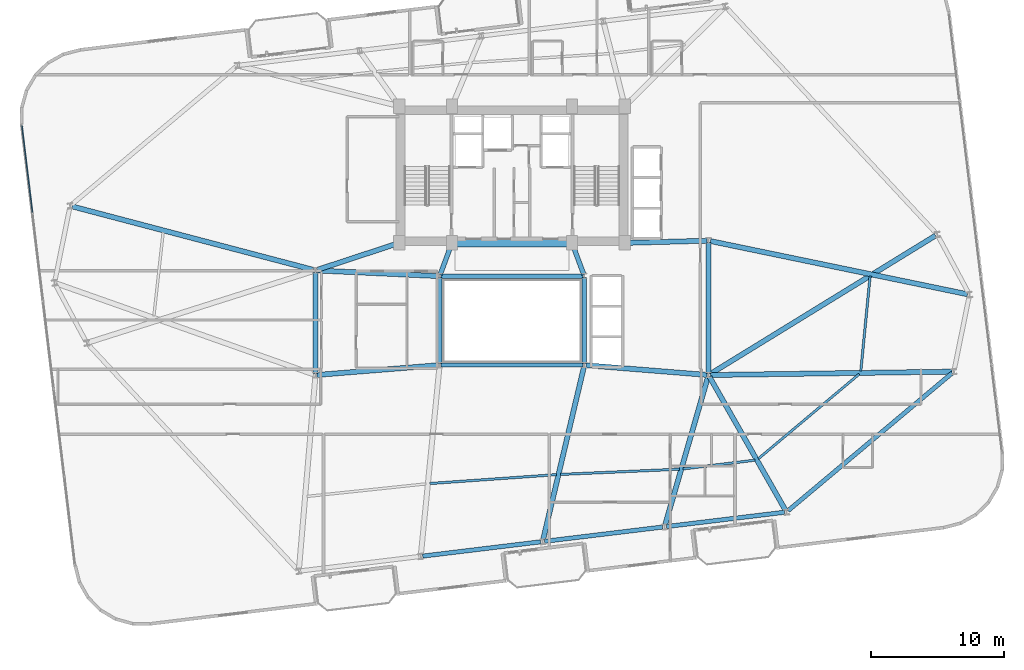
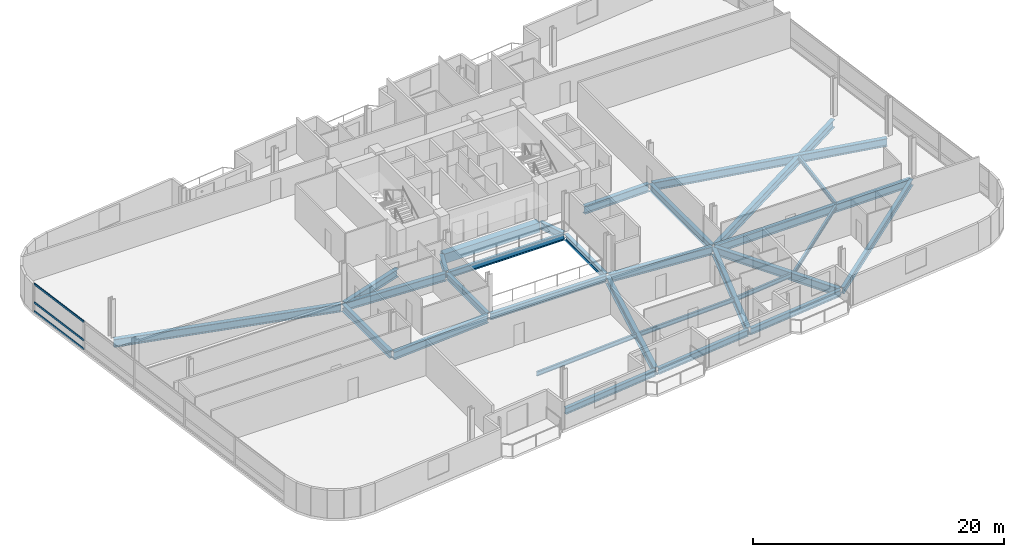
# One storey, part 7 of 22: 30 beams, 3 members, 1 element without a shape of its own.
"""IFC4 building model written with IfcOpenShell, lengths in metres."""

import ifcopenshell
import ifcopenshell.guid

model = None  # the IFC model being written
_history = None  # IfcOwnerHistory: only IFC2X3 demands one
_inside = {}  # id of a spatial element -> (the spatial element, [elements in it])
_under = {}  # id of a project, library or spatial element -> (it, [spatial elements below it])
_declared = {}  # id of a project -> (the project, [libraries it declares])
_typed = {}  # id of a type object -> (the type object, [elements of that type])
_made_of = {}  # id of a material, layer set ... -> (it, [elements and type objects made of it])


def new_model(schema):
    """Start an empty IFC model of exactly this schema.

    Asked for "IFC4X3", IfcOpenShell would pick the latest addendum, in which some entities
    have other attributes; the version numbers below select the first issue.
    IFC2X3 requires an IfcOwnerHistory on every rooted entity: one is made here for all.
    """
    global model, _history
    if schema == "IFC4X3":
        model = ifcopenshell.file(schema_version=(4, 3, 0, 0))
    else:
        model = ifcopenshell.file(schema=schema)
    _inside.clear()
    _under.clear()
    _declared.clear()
    _typed.clear()
    _made_of.clear()
    _history = None
    if model.schema == "IFC2X3":
        org = make("IfcOrganization", Name="unknown")
        user = make(
            "IfcPersonAndOrganization",
            ThePerson=make("IfcPerson", FamilyName="unknown"),
            TheOrganization=org,
        )
        app = make(
            "IfcApplication",
            ApplicationDeveloper=org,
            Version="unknown",
            ApplicationFullName="unknown",
            ApplicationIdentifier="unknown",
        )
        _history = make(
            "IfcOwnerHistory",
            OwningUser=user,
            OwningApplication=app,
            ChangeAction="ADDED",
            CreationDate=0,
        )
    return model


def make(cls, **values):
    """One entity of the class cls with the attributes given. An attribute that is None is left unset."""
    return model.create_entity(
        cls, **{name: value for name, value in values.items() if value is not None}
    )


def rooted(cls, **values):
    """An entity with a GlobalId (a new one), such as an element, a storey or a relation."""
    return make(cls, GlobalId=ifcopenshell.guid.new(), OwnerHistory=_history, **values)


def si_unit(unit_type, name, prefix=None):
    """IfcSIUnit, for example si_unit("LENGTHUNIT", "METRE", prefix="MILLI")."""
    return make("IfcSIUnit", UnitType=unit_type, Prefix=prefix, Name=name)


def assignment(units):
    """IfcUnitAssignment: the units of a project."""
    return None if units is None else make("IfcUnitAssignment", Units=units)


def point(xyz):
    """IfcCartesianPoint."""
    return None if xyz is None else make("IfcCartesianPoint", Coordinates=xyz)


def direction(xyz):
    """IfcDirection."""
    return None if xyz is None else make("IfcDirection", DirectionRatios=xyz)


def frame(location, z_axis=None, x_axis=None):
    """IfcAxis2Placement3D, a coordinate frame: its origin and axes. An axis left out is left unset."""
    return make(
        "IfcAxis2Placement3D",
        Location=point(location),
        Axis=direction(z_axis),
        RefDirection=direction(x_axis),
    )


def frame_2d(location, x_axis=None):
    """IfcAxis2Placement2D, a coordinate frame in the plane: its origin and x axis."""
    return make(
        "IfcAxis2Placement2D", Location=point(location), RefDirection=direction(x_axis)
    )


def origin():
    """The frame at (0, 0, 0) with its axes left unset."""
    return frame((0.0, 0.0, 0.0))


def origin_2d():
    """The frame at (0, 0) in the plane with its x axis left unset."""
    return frame_2d((0.0, 0.0))


def place(relative_to, where):
    """IfcLocalPlacement: puts the frame where relative to a parent placement (None: the world)."""
    return make(
        "IfcLocalPlacement", PlacementRelTo=relative_to, RelativePlacement=where
    )


def context(
    kind, dimensions, precision=None, world=None, true_north=None, identifier=None
):
    """IfcGeometricRepresentationContext, for example the 3D "Model" context."""
    return make(
        "IfcGeometricRepresentationContext",
        ContextIdentifier=identifier,
        ContextType=kind,
        CoordinateSpaceDimension=dimensions,
        Precision=precision,
        WorldCoordinateSystem=world,
        TrueNorth=true_north,
    )


def subcontext(parent, identifier, kind, view, scale=None):
    """IfcGeometricRepresentationSubContext, for example "Body" below "Model"."""
    return make(
        "IfcGeometricRepresentationSubContext",
        ContextIdentifier=identifier,
        ContextType=kind,
        ParentContext=parent,
        TargetScale=scale,
        TargetView=view,
    )


def project(units=None, contexts=None):
    """IfcProject with its units and contexts."""
    return rooted(
        "IfcProject",
        Name="project",
        RepresentationContexts=contexts,
        UnitsInContext=assignment(units),
    )


def spatial(cls, under=None, at=None, **own):
    """A site, building, storey or space (cls), placed at a placement, below another one or the project."""
    s = rooted(cls, ObjectPlacement=at, **own)
    if under is not None:
        _under.setdefault(under.id(), (under, []))[1].append(s)
    return s


def profile(cls, at=None, kind="AREA", **sizes):
    """A parametric profile (cls). Its sizes go by their IFC names, for example OverallWidth=200.0."""
    return make(cls, ProfileType=kind, Position=at, **sizes)


def rectangle(**sizes):
    """IfcRectangleProfileDef."""
    return profile("IfcRectangleProfileDef", **sizes)


def hollow_rectangle(**sizes):
    """IfcRectangleHollowProfileDef."""
    return profile("IfcRectangleHollowProfileDef", **sizes)


def i_section(**sizes):
    """IfcIShapeProfileDef."""
    return profile("IfcIShapeProfileDef", **sizes)


def extrude(swept, where, along, depth):
    """IfcExtrudedAreaSolid: the profile swept, set in the frame where, extruded along a direction by depth."""
    return make(
        "IfcExtrudedAreaSolid",
        SweptArea=swept,
        Position=where,
        ExtrudedDirection=direction(along),
        Depth=depth,
    )


def shape(context_of_items, identifier, shape_type, items):
    """IfcShapeRepresentation: the items that make up one representation, for example the "Body"."""
    return make(
        "IfcShapeRepresentation",
        ContextOfItems=context_of_items,
        RepresentationIdentifier=identifier,
        RepresentationType=shape_type,
        Items=items,
    )


def material(Name=None, Category=None):
    """IfcMaterial."""
    return make("IfcMaterial", Name=Name, Category=Category)


def layer(
    of_material, thickness, ventilated=None, Name=None, Category=None, Priority=None
):
    """IfcMaterialLayer: one layer of a wall or slab, of a material (None: an air gap)."""
    return make(
        "IfcMaterialLayer",
        Material=of_material,
        LayerThickness=thickness,
        IsVentilated=ventilated,
        Name=Name,
        Category=Category,
        Priority=Priority,
    )


def layer_set(layers, Name=None):
    """IfcMaterialLayerSet."""
    return make("IfcMaterialLayerSet", MaterialLayers=layers, LayerSetName=Name)


def material_profile(
    of_material, cross_section, Name=None, Category=None, Priority=None
):
    """IfcMaterialProfile: a cross section and its material."""
    return make(
        "IfcMaterialProfile",
        Name=Name,
        Material=of_material,
        Profile=cross_section,
        Priority=Priority,
        Category=Category,
    )


def profile_set(profiles, Name=None, composite=None):
    """IfcMaterialProfileSet."""
    return make(
        "IfcMaterialProfileSet",
        Name=Name,
        MaterialProfiles=profiles,
        CompositeProfile=composite,
    )


def made_of(thing, what):
    """Note that an element or type object is made of a material, layer set ...; save() writes the relation."""
    if what is not None:
        _made_of.setdefault(what.id(), (what, []))[1].append(thing)
    return thing


def type_object(cls, material=None, **own):
    """A type object (cls), such as IfcWallType, which elements share."""
    return made_of(rooted(cls, **own), material)


def element(
    cls,
    number,
    at=None,
    inside=None,
    cuts=None,
    type_object=None,
    material=None,
    context=None,
    identifier="Body",
    shape_type=None,
    held_by="IfcProductDefinitionShape",
    body=None,
    shapes=None,
    **own,
):
    """One element of the class cls, such as IfcWall. Its Tag is "e" and its number.

    at: its placement. inside: the storey or other place that contains it. cuts: it is an
    opening in that element (IfcRelVoidsElement). A single representation is given by context,
    identifier, shape_type and body (its items); several are given by shapes. held_by: the class
    of the entity that holds the representations. save() writes the other relations.
    """
    e = rooted(cls, Tag="e%d" % number, ObjectPlacement=at, **own)
    if body is not None:
        shapes = [shape(context, identifier, shape_type, body)]
    if shapes is not None:
        e.Representation = make(held_by, Representations=shapes)
    if inside is not None:
        _inside.setdefault(inside.id(), (inside, []))[1].append(e)
    if cuts is not None:
        rooted(
            "IfcRelVoidsElement", RelatingBuildingElement=cuts, RelatedOpeningElement=e
        )
    if type_object is not None:
        _typed.setdefault(type_object.id(), (type_object, []))[1].append(e)
    return made_of(e, material)


def aggregate(whole, parts):
    """IfcRelAggregates: a whole, such as a stair, and the parts it consists of."""
    return rooted("IfcRelAggregates", RelatingObject=whole, RelatedObjects=parts)


def save(model, path):
    """Write the relations noted so far, then the file.

    IfcRelAggregates (storeys below a building ...), IfcRelContainedInSpatialStructure (elements
    in a storey), IfcRelDefinesByType, IfcRelAssociatesMaterial and IfcRelDeclares: one each for
    every whole, place, type object, material and project.
    """
    for whole, parts in _under.values():
        aggregate(whole, parts)
    for where, things in _inside.values():
        rooted(
            "IfcRelContainedInSpatialStructure",
            RelatedElements=things,
            RelatingStructure=where,
        )
    for kind, things in _typed.values():
        rooted("IfcRelDefinesByType", RelatedObjects=things, RelatingType=kind)
    for what, things in _made_of.values():
        rooted("IfcRelAssociatesMaterial", RelatedObjects=things, RelatingMaterial=what)
    for by, libraries in _declared.values():
        rooted("IfcRelDeclares", RelatingContext=by, RelatedDefinitions=libraries)
    model.write(path)


model = new_model("IFC4")

# Units and contexts
model_context = context("Model", 3, precision=1e-05, world=origin(), true_north=direction((0.0, 1.0)))
body_context = subcontext(model_context, "Body", "Model", "MODEL_VIEW")
ifc_project = project(units=[si_unit("LENGTHUNIT", "METRE"), si_unit("AREAUNIT", "SQUARE_METRE"), si_unit("VOLUMEUNIT", "CUBIC_METRE"), si_unit("PLANEANGLEUNIT", "RADIAN"), si_unit("MASSUNIT", "GRAM", prefix="KILO")], contexts=[model_context])

# Site, building, storey
site_placement = place(None, origin())
site = spatial("IfcSite", under=ifc_project, at=site_placement, CompositionType="ELEMENT")
building_placement = place(site_placement, origin())
building = spatial("IfcBuilding", under=site, at=building_placement, Name="Varnelok Gate Tower", CompositionType="ELEMENT")
storey_placement = place(building_placement, frame((0.0, 0.0, 185.699951171875)))
storey = spatial("IfcBuildingStorey", under=building, at=storey_placement, Name="L47", CompositionType="ELEMENT", Elevation=185.699951171875)

# Beams
ifc_material_1 = material(Name="Structural Steel ASTM A992 Grade 50", Category="steel")
ifc_material_profile_1 = material_profile(ifc_material_1, i_section(OverallWidth=0.180908203125, OverallDepth=0.4169921875, WebThickness=0.010986328125, FlangeThickness=0.018310546875, FilletRadius=0.013916015625, at=origin_2d()), Name="W16X57")
ifc_profile_set_1 = profile_set([ifc_material_profile_1], Name="Structural Steel ASTM A992 Grade 50")
beam_type_1 = type_object("IfcBeamType", Name="BM-JST-W16X57", PredefinedType="JOIST", material=ifc_profile_set_1)
beam_1_placement = place(storey_placement, frame((33.00634765625, 10.62939453125, -0.45849609375), z_axis=(0.997546417642, 0.070008175598, 0.0), x_axis=(-0.070008175598, 0.997546417642, 0.0)))
element("IfcBeam", 1, at=beam_1_placement, inside=storey, type_object=beam_type_1, Name="L47 Sector Floor Joist 2", PredefinedType="JOIST", context=body_context, shape_type="SweptSolid", body=[
    extrude(i_section(OverallWidth=0.180908203125, OverallDepth=0.4169921875, WebThickness=0.010986328125, FlangeThickness=0.018310546875, FilletRadius=0.013916015625, at=origin_2d()), origin(), (0.0, 0.0, 1.0), 9.57958984375),
])
beam_2_placement = place(storey_placement, frame((42.841796875, 11.31591796875, -0.45849609375), z_axis=(0.99904059528, 0.043793709388, 0.0), x_axis=(-0.043793709388, 0.99904059528, 0.0)))
element("IfcBeam", 2, at=beam_2_placement, inside=storey, type_object=beam_type_1, Name="L47 Sector Floor Joist 3", PredefinedType="JOIST", context=body_context, shape_type="SweptSolid", body=[
    extrude(i_section(OverallWidth=0.180908203125, OverallDepth=0.4169921875, WebThickness=0.010986328125, FlangeThickness=0.018310546875, FilletRadius=0.013916015625, at=origin_2d()), origin(), (0.0, 0.0, 1.0), 8.975341796875),
])
beam_3_placement = place(storey_placement, frame((52.08740234375, 11.73193359375, -0.45849609375), z_axis=(0.992737021941, 0.120304635272, 0.0), x_axis=(-0.120304635272, 0.992737021941, 0.0)))
element("IfcBeam", 3, at=beam_3_placement, inside=storey, type_object=beam_type_1, Name="L47 Sector Floor Joist 4", PredefinedType="JOIST", context=body_context, shape_type="SweptSolid", body=[
    extrude(i_section(OverallWidth=0.180908203125, OverallDepth=0.4169921875, WebThickness=0.010986328125, FlangeThickness=0.018310546875, FilletRadius=0.013916015625, at=origin_2d()), origin(), (0.0, 0.0, 1.0), 5.454833984375),
])
beam_4_placement = place(storey_placement, frame((57.7490234375, 12.4951171875, -0.45849609375), z_axis=(0.76608872643, 0.642734831199, 0.0), x_axis=(-0.642734831199, 0.76608872643, 0.0)))
element("IfcBeam", 4, at=beam_4_placement, inside=storey, type_object=beam_type_1, Name="L47 Sector Floor Joist 5", PredefinedType="JOIST", context=body_context, shape_type="SweptSolid", body=[
    extrude(i_section(OverallWidth=0.180908203125, OverallDepth=0.4169921875, WebThickness=0.010986328125, FlangeThickness=0.018310546875, FilletRadius=0.013916015625, at=origin_2d()), origin(), (0.0, 0.0, 1.0), 9.919677734375),
])
beam_5_placement = place(storey_placement, frame((65.469482421875, 19.10009765625, -0.45849609375), z_axis=(0.097641950853, 0.995221608203, 0.0), x_axis=(-0.995221608203, 0.097641950853, 0.0)))
element("IfcBeam", 5, at=beam_5_placement, inside=storey, type_object=beam_type_1, Name="L47 Sector Floor Joist 6", PredefinedType="JOIST", context=body_context, shape_type="SweptSolid", body=[
    extrude(i_section(OverallWidth=0.180908203125, OverallDepth=0.4169921875, WebThickness=0.010986328125, FlangeThickness=0.018310546875, FilletRadius=0.013916015625, at=origin_2d()), origin(), (0.0, 0.0, 1.0), 7.193603515625),
])
ifc_material_2 = material(Name="Concrete C60/75", Category="concrete")
ifc_material_profile_2 = material_profile(ifc_material_2, rectangle(XDim=0.60009765625, YDim=0.949951171875, at=origin_2d()), Name="RC950X600")
ifc_profile_set_2 = profile_set([ifc_material_profile_2], Name="Concrete C60/75")
beam_type_2 = type_object("IfcBeamType", Name="BM-LNT-RC950", PredefinedType="LINTEL", material=ifc_profile_set_2)
beam_6_placement = place(storey_placement, frame((34.800048828125, 28.75, -0.724853515625), z_axis=(1.0, 0.0, 0.0), x_axis=(0.0, 1.0, 0.0)))
element("IfcBeam", 6, at=beam_6_placement, inside=storey, type_object=beam_type_2, Name="L47 Core-Atrium Spine Beam 7", PredefinedType="LINTEL", context=body_context, shape_type="SweptSolid", body=[
    extrude(rectangle(XDim=0.60009765625, YDim=0.949951171875, at=origin_2d()), origin(), (0.0, 0.0, 1.0), 8.800048828125),
])
ifc_material_profile_3 = material_profile(ifc_material_1, i_section(OverallWidth=0.35498046875, OverallDepth=0.696044921875, WebThickness=0.015380859375, FlangeThickness=0.02490234375, FilletRadius=0.02001953125, at=origin_2d()), Name="W27X146")
ifc_profile_set_3 = profile_set([ifc_material_profile_3], Name="Structural Steel ASTM A992 Grade 50")
beam_type_3 = type_object("IfcBeamType", Name="BM-PRI-W27X146", PredefinedType="BEAM", material=ifc_profile_set_3)
for number, where, z_axis, x_axis, name in (
    (7, (33.791748046875, 26.362548828125, -0.597900390625), (0.348719329408, 0.937227202602, 0.0), (-0.937227202602, 0.348719329408, 0.0), "L47 Core-Atrium Spine Beam 12"),
    (8, (44.608154296875, 26.362548828125, -0.597900390625), (-0.348719329408, 0.937227202602, 0.0), (-0.937227202602, -0.348719329408, 0.0), "L47 Core-Atrium Spine Beam 13"),
):
    element("IfcBeam", number, at=place(storey_placement, frame(where, z_axis=z_axis, x_axis=x_axis)), inside=storey, type_object=beam_type_3, Name=name, PredefinedType="BEAM", context=body_context, shape_type="SweptSolid", body=[
        extrude(i_section(OverallWidth=0.35498046875, OverallDepth=0.696044921875, WebThickness=0.015380859375, FlangeThickness=0.02490234375, FilletRadius=0.02001953125, at=origin_2d()), origin(), (0.0, 0.0, 1.0), 2.42724609375),
    ])
beam_7_placement = place(storey_placement, frame((24.39990234375, 18.919921875, -0.597900390625), z_axis=(0.0, 1.0, 0.0), x_axis=(-1.0, 0.0, 0.0)))
element("IfcBeam", 9, at=beam_7_placement, inside=storey, type_object=beam_type_3, Name="L47 Core-Atrium Spine Beam 16", PredefinedType="BEAM", context=body_context, shape_type="SweptSolid", body=[
    extrude(i_section(OverallWidth=0.35498046875, OverallDepth=0.696044921875, WebThickness=0.015380859375, FlangeThickness=0.02490234375, FilletRadius=0.02001953125, at=origin_2d()), origin(), (0.0, 0.0, 1.0), 7.64013671875),
])
beam_8_placement = place(storey_placement, frame((54.0, 18.919921875, -0.597900390625), z_axis=(0.0, 1.0, 0.0), x_axis=(-1.0, 0.0, 0.0)))
element("IfcBeam", 10, at=beam_8_placement, inside=storey, type_object=beam_type_3, Name="L47 Core-Atrium Spine Beam 20", PredefinedType="BEAM", context=body_context, shape_type="SweptSolid", body=[
    extrude(i_section(OverallWidth=0.35498046875, OverallDepth=0.696044921875, WebThickness=0.015380859375, FlangeThickness=0.02490234375, FilletRadius=0.02001953125, at=origin_2d()), origin(), (0.0, 0.0, 1.0), 9.880126953125),
])
ifc_material_profile_4 = material_profile(ifc_material_1, i_section(OverallWidth=0.381103515625, OverallDepth=0.77294921875, WebThickness=0.0166015625, FlangeThickness=0.027099609375, FilletRadius=0.02197265625, at=origin_2d()), Name="W30X173")
ifc_profile_set_4 = profile_set([ifc_material_profile_4], Name="Structural Steel ASTM A992 Grade 50")
beam_type_4 = type_object("IfcBeamType", Name="BM-PRI-W30X173", PredefinedType="BEAM", material=ifc_profile_set_4)
beam_9_placement = place(storey_placement, frame((24.51953125, 18.8095703125, -0.636474609375), z_axis=(0.996799206292, 0.07994587128, 0.0), x_axis=(-0.07994587128, 0.996799206292, 0.0)))
element("IfcBeam", 11, at=beam_9_placement, inside=storey, type_object=beam_type_4, Name="L47 Core-Atrium Spine Beam 14", PredefinedType="BEAM", context=body_context, shape_type="SweptSolid", body=[
    extrude(i_section(OverallWidth=0.381103515625, OverallDepth=0.77294921875, WebThickness=0.0166015625, FlangeThickness=0.027099609375, FilletRadius=0.02197265625, at=origin_2d()), origin(), (0.0, 0.0, 1.0), 9.14013671875),
])
beam_10_placement = place(storey_placement, frame((24.52001953125, 26.674560546875, -0.636474609375), z_axis=(0.99894427814, -0.045938319209, 0.0), x_axis=(0.045938319209, 0.99894427814, 0.0)))
element("IfcBeam", 12, at=beam_10_placement, inside=storey, type_object=beam_type_4, Name="L47 Core-Atrium Spine Beam 15", PredefinedType="BEAM", context=body_context, shape_type="SweptSolid", body=[
    extrude(i_section(OverallWidth=0.381103515625, OverallDepth=0.77294921875, WebThickness=0.0166015625, FlangeThickness=0.027099609375, FilletRadius=0.02197265625, at=origin_2d()), origin(), (0.0, 0.0, 1.0), 9.11962890625),
])
beam_11_placement = place(storey_placement, frame((24.513916015625, 26.717529296875, -0.636474609375), z_axis=(0.950041943788, 0.312122259768, 0.0), x_axis=(-0.312122259768, 0.950041943788, 0.0)))
element("IfcBeam", 13, at=beam_11_placement, inside=storey, type_object=beam_type_4, Name="L47 Core-Atrium Spine Beam 17", PredefinedType="BEAM", context=body_context, shape_type="SweptSolid", body=[
    extrude(i_section(OverallWidth=0.381103515625, OverallDepth=0.77294921875, WebThickness=0.0166015625, FlangeThickness=0.027099609375, FilletRadius=0.02197265625, at=origin_2d()), origin(), (0.0, 0.0, 1.0), 6.391357421875),
])
beam_12_placement = place(storey_placement, frame((44.76953125, 19.540283203125, -0.636474609375), z_axis=(0.996799206292, -0.07994587128, 0.0), x_axis=(0.07994587128, 0.996799206292, 0.0)))
element("IfcBeam", 14, at=beam_12_placement, inside=storey, type_object=beam_type_4, Name="L47 Core-Atrium Spine Beam 18", PredefinedType="BEAM", context=body_context, shape_type="SweptSolid", body=[
    extrude(i_section(OverallWidth=0.381103515625, OverallDepth=0.77294921875, WebThickness=0.0166015625, FlangeThickness=0.027099609375, FilletRadius=0.02197265625, at=origin_2d()), origin(), (0.0, 0.0, 1.0), 9.14013671875),
])
beam_13_placement = place(storey_placement, frame((47.820068359375, 28.753173828125, -0.636474609375), z_axis=(0.999635880609, 0.026983443053, 0.0), x_axis=(-0.026983443053, 0.999635880609, 0.0)))
element("IfcBeam", 15, at=beam_13_placement, inside=storey, type_object=beam_type_4, Name="L47 Core-Atrium Spine Beam 19", PredefinedType="BEAM", context=body_context, shape_type="SweptSolid", body=[
    extrude(i_section(OverallWidth=0.381103515625, OverallDepth=0.77294921875, WebThickness=0.0166015625, FlangeThickness=0.027099609375, FilletRadius=0.02197265625, at=origin_2d()), origin(), (0.0, 0.0, 1.0), 6.06201171875),
])
beam_14_placement = place(storey_placement, frame((44.615478515625, 19.404052734375, -0.636474609375), z_axis=(-0.230051892852, -0.973178363197, 0.0), x_axis=(0.973178363197, -0.230051892852, 0.0)))
element("IfcBeam", 16, at=beam_14_placement, inside=storey, type_object=beam_type_4, Name="L47 Radial Floor Girder 3", PredefinedType="BEAM", context=body_context, shape_type="SweptSolid", body=[
    extrude(i_section(OverallWidth=0.381103515625, OverallDepth=0.77294921875, WebThickness=0.0166015625, FlangeThickness=0.027099609375, FilletRadius=0.02197265625, at=origin_2d()), origin(), (0.0, 0.0, 1.0), 13.356689453125),
])
beam_15_placement = place(storey_placement, frame((53.958251953125, 18.656005859375, -0.636474609375), z_axis=(-0.278139351158, -0.960540733825, 0.0), x_axis=(0.960540733825, -0.278139351158, 0.0)))
element("IfcBeam", 17, at=beam_15_placement, inside=storey, type_object=beam_type_4, Name="L47 Radial Floor Girder 4", PredefinedType="BEAM", context=body_context, shape_type="SweptSolid", body=[
    extrude(i_section(OverallWidth=0.381103515625, OverallDepth=0.77294921875, WebThickness=0.0166015625, FlangeThickness=0.027099609375, FilletRadius=0.02197265625, at=origin_2d()), origin(), (0.0, 0.0, 1.0), 11.596923828125),
])
beam_16_placement = place(storey_placement, frame((54.07421875, 18.669677734375, -0.636474609375), z_axis=(0.494868053933, -0.868968128988, 0.0), x_axis=(0.868968128988, 0.494868053933, 0.0)))
element("IfcBeam", 18, at=beam_16_placement, inside=storey, type_object=beam_type_4, Name="L47 Radial Floor Girder 5", PredefinedType="BEAM", context=body_context, shape_type="SweptSolid", body=[
    extrude(i_section(OverallWidth=0.381103515625, OverallDepth=0.77294921875, WebThickness=0.0166015625, FlangeThickness=0.027099609375, FilletRadius=0.02197265625, at=origin_2d()), origin(), (0.0, 0.0, 1.0), 11.5693359375),
])
beam_17_placement = place(storey_placement, frame((54.14990234375, 18.802001953125, -0.636474609375), z_axis=(0.999901514109, 0.014034318056, 0.0), x_axis=(-0.014034318056, 0.999901514109, 0.0)))
element("IfcBeam", 19, at=beam_17_placement, inside=storey, type_object=beam_type_4, Name="L47 Radial Floor Girder 6", PredefinedType="BEAM", context=body_context, shape_type="SweptSolid", body=[
    extrude(i_section(OverallWidth=0.381103515625, OverallDepth=0.77294921875, WebThickness=0.0166015625, FlangeThickness=0.027099609375, FilletRadius=0.02197265625, at=origin_2d()), origin(), (0.0, 0.0, 1.0), 18.1787109375),
])
beam_18_placement = place(storey_placement, frame((54.14697265625, 28.8896484375, -0.636474609375), z_axis=(0.979255265667, -0.202630512665, 0.0), x_axis=(0.202630512665, 0.979255265667, 0.0)))
element("IfcBeam", 20, at=beam_18_placement, inside=storey, type_object=beam_type_4, Name="L47 Radial Floor Girder 7", PredefinedType="BEAM", context=body_context, shape_type="SweptSolid", body=[
    extrude(i_section(OverallWidth=0.381103515625, OverallDepth=0.77294921875, WebThickness=0.0166015625, FlangeThickness=0.027099609375, FilletRadius=0.02197265625, at=origin_2d()), origin(), (0.0, 0.0, 1.0), 19.7705078125),
])
beam_19_placement = place(storey_placement, frame((54.127685546875, 18.87841796875, -0.636474609375), z_axis=(0.852014595228, 0.523518031703, 0.0), x_axis=(-0.523518031703, 0.852014595228, 0.0)))
element("IfcBeam", 21, at=beam_19_placement, inside=storey, type_object=beam_type_4, Name="L47 Radial Floor Girder 8", PredefinedType="BEAM", context=body_context, shape_type="SweptSolid", body=[
    extrude(i_section(OverallWidth=0.381103515625, OverallDepth=0.77294921875, WebThickness=0.0166015625, FlangeThickness=0.027099609375, FilletRadius=0.02197265625, at=origin_2d()), origin(), (0.0, 0.0, 1.0), 19.917236328125),
])
beam_20_placement = place(storey_placement, frame((24.2548828125, 26.71826171875, -0.636474609375), z_axis=(-0.967098244451, 0.254403194908, 0.0), x_axis=(-0.254403194908, -0.967098244451, 0.0)))
element("IfcBeam", 22, at=beam_20_placement, inside=storey, type_object=beam_type_4, Name="L47 Radial Floor Girder 14", PredefinedType="BEAM", context=body_context, shape_type="SweptSolid", body=[
    extrude(i_section(OverallWidth=0.381103515625, OverallDepth=0.77294921875, WebThickness=0.0166015625, FlangeThickness=0.027099609375, FilletRadius=0.02197265625, at=origin_2d()), origin(), (0.0, 0.0, 1.0), 18.805419921875),
])
ifc_material_profile_5 = material_profile(ifc_material_1, i_section(OverallWidth=0.323974609375, OverallDepth=0.611083984375, WebThickness=0.0126953125, FlangeThickness=0.01904296875, FilletRadius=0.01806640625, at=origin_2d()), Name="W24X104")
ifc_profile_set_5 = profile_set([ifc_material_profile_5], Name="Structural Steel ASTM A992 Grade 50")
beam_type_5 = type_object("IfcBeamType", Name="BM-SPN-W24X104", PredefinedType="SPANDREL", material=ifc_profile_set_5)
for number, where, z_axis, x_axis, name in (
    (23, (33.8701171875, 19.550048828125, -0.555419921875), (1.0, 0.0, 0.0), (0.0, 1.0, 0.0), "L47 Core-Atrium Spine Beam 8"),
    (24, (33.8701171875, 26.25, -0.555419921875), (1.0, 0.0, 0.0), (0.0, 1.0, 0.0), "L47 Core-Atrium Spine Beam 9"),
):
    element("IfcBeam", number, at=place(storey_placement, frame(where, z_axis=z_axis, x_axis=x_axis)), inside=storey, type_object=beam_type_5, Name=name, PredefinedType="SPANDREL", context=body_context, shape_type="SweptSolid", body=[
        extrude(i_section(OverallWidth=0.323974609375, OverallDepth=0.611083984375, WebThickness=0.0126953125, FlangeThickness=0.01904296875, FilletRadius=0.01806640625, at=origin_2d()), origin(), (0.0, 0.0, 1.0), 10.659912109375),
    ])
for number, where, z_axis, x_axis, name in (
    (25, (33.75, 19.669921875, -0.555419921875), (0.0, 1.0, 0.0), (-1.0, 0.0, 0.0), "L47 Core-Atrium Spine Beam 10"),
    (26, (44.64990234375, 19.669921875, -0.555419921875), (0.0, 1.0, 0.0), (-1.0, 0.0, 0.0), "L47 Core-Atrium Spine Beam 11"),
):
    element("IfcBeam", number, at=place(storey_placement, frame(where, z_axis=z_axis, x_axis=x_axis)), inside=storey, type_object=beam_type_5, Name=name, PredefinedType="SPANDREL", context=body_context, shape_type="SweptSolid", body=[
        extrude(i_section(OverallWidth=0.323974609375, OverallDepth=0.611083984375, WebThickness=0.0126953125, FlangeThickness=0.01904296875, FilletRadius=0.01806640625, at=origin_2d()), origin(), (0.0, 0.0, 1.0), 6.4599609375),
    ])
for number, where, z_axis, x_axis, name in (
    (27, (32.474365234375, 5.164306640625, -0.555419921875), (0.992734670707, 0.120324035735, 0.0), (-0.120324035735, 0.992734670707, 0.0), "L47 Perimeter Spandrel Beam 2"),
    (28, (41.656982421875, 6.277587890625, -0.555419921875), (0.992734670707, 0.120324035735, 0.0), (-0.120324035735, 0.992734670707, 0.0), "L47 Perimeter Spandrel Beam 3"),
    (29, (50.83984375, 7.390625, -0.555419921875), (0.99273141198, 0.120350918849, 0.0), (-0.120350918849, 0.99273141198, 0.0), "L47 Perimeter Spandrel Beam 4"),
):
    element("IfcBeam", number, at=place(storey_placement, frame(where, z_axis=z_axis, x_axis=x_axis)), inside=storey, type_object=beam_type_5, Name=name, PredefinedType="SPANDREL", context=body_context, shape_type="SweptSolid", body=[
        extrude(i_section(OverallWidth=0.323974609375, OverallDepth=0.611083984375, WebThickness=0.0126953125, FlangeThickness=0.01904296875, FilletRadius=0.01806640625, at=origin_2d()), origin(), (0.0, 0.0, 1.0), 8.949951171875),
    ])
beam_21_placement = place(storey_placement, frame((59.98876953125, 8.582275390625, -0.555419921875), z_axis=(0.766099582792, 0.642721891059, 0.0), x_axis=(-0.642721891059, 0.766099582792, 0.0)))
element("IfcBeam", 30, at=beam_21_placement, inside=storey, type_object=beam_type_5, Name="L47 Perimeter Spandrel Beam 5", PredefinedType="SPANDREL", context=body_context, shape_type="SweptSolid", body=[
    extrude(i_section(OverallWidth=0.323974609375, OverallDepth=0.611083984375, WebThickness=0.0126953125, FlangeThickness=0.01904296875, FilletRadius=0.01806640625, at=origin_2d()), origin(), (0.0, 0.0, 1.0), 16.151123046875),
])

# Curtain wall, members
ifc_material_3 = material(Name="Anodized Aluminum Alloy 6063-T6", Category="aluminium")
ifc_layer = layer(ifc_material_3, 0.179931640625)
ifc_layer_set = layer_set([ifc_layer], Name="Anodized Aluminum Alloy 6063-T6")
curtain_wall_type = type_object("IfcCurtainWallType", Name="CW4-RESIDENCE-VISION", PredefinedType="USERDEFINED", material=ifc_layer_set)
curtain_wall_placement = place(storey_placement, origin())
curtain_wall = element("IfcCurtainWall", 31, at=curtain_wall_placement, inside=storey, type_object=curtain_wall_type, Name="L47 West End Vision Curtain Wall", ObjectType="UNITISED CURTAIN WALL", PredefinedType="USERDEFINED")
ifc_material_profile_6 = material_profile(ifc_material_3, hollow_rectangle(XDim=0.074951171875, YDim=0.199951171875, WallThickness=0.00390625, at=origin_2d()), Name="ALU200X75X4")
ifc_profile_set_6 = profile_set([ifc_material_profile_6], Name="Anodized Aluminum Alloy 6063-T6")
member_type = type_object("IfcMemberType", Name="CW-TRAN-200", PredefinedType="USERDEFINED", material=ifc_profile_set_6)
member_1_placement = place(storey_placement, frame((3.085205078125, 31.052978515625, 0.03759765625), z_axis=(-0.120332477695, 0.992733647466, 0.0), x_axis=(-0.992733647466, -0.120332477695, 0.0)))
member_1 = element("IfcMember", 32, at=member_1_placement, type_object=member_type, Name="CW4 transom 5.1", ObjectType="TRANSOM", PredefinedType="USERDEFINED", context=body_context, shape_type="SweptSolid", body=[
    extrude(hollow_rectangle(XDim=0.074951171875, YDim=0.199951171875, WallThickness=0.00390625, at=origin_2d()), origin(), (0.0, 0.0, 1.0), 6.5673828125),
])
member_2_placement = place(storey_placement, frame((3.085205078125, 31.052978515625, 0.900146484375), z_axis=(-0.120332477695, 0.992733647466, 0.0), x_axis=(-0.992733647466, -0.120332477695, 0.0)))
member_2 = element("IfcMember", 33, at=member_2_placement, type_object=member_type, Name="CW4 transom 5.2", ObjectType="TRANSOM", PredefinedType="USERDEFINED", context=body_context, shape_type="SweptSolid", body=[
    extrude(hollow_rectangle(XDim=0.074951171875, YDim=0.199951171875, WallThickness=0.00390625, at=origin_2d()), origin(), (0.0, 0.0, 1.0), 6.5673828125),
])
member_3_placement = place(storey_placement, frame((3.085205078125, 31.052978515625, 2.692626953125), z_axis=(-0.120332477695, 0.992733647466, 0.0), x_axis=(-0.992733647466, -0.120332477695, 0.0)))
member_3 = element("IfcMember", 34, at=member_3_placement, type_object=member_type, Name="CW4 transom 5.3", ObjectType="TRANSOM", PredefinedType="USERDEFINED", context=body_context, shape_type="SweptSolid", body=[
    extrude(hollow_rectangle(XDim=0.074951171875, YDim=0.199951171875, WallThickness=0.00390625, at=origin_2d()), origin(), (0.0, 0.0, 1.0), 6.5673828125),
])
aggregate(curtain_wall, [member_1, member_2, member_3])

save(model, "model.ifc")
